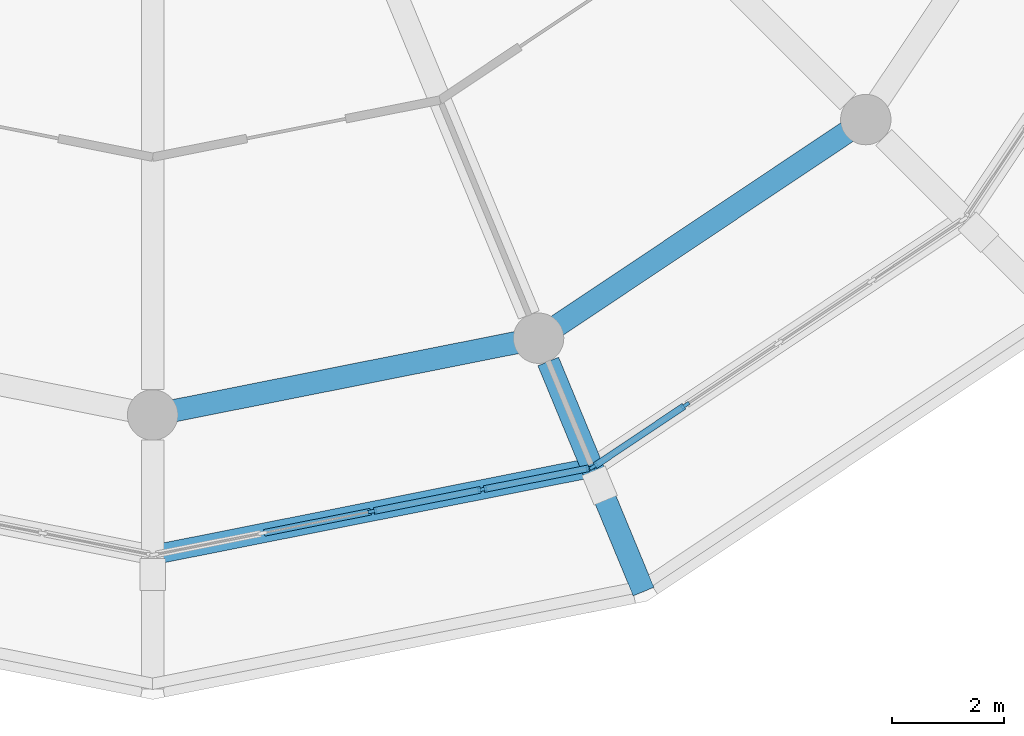
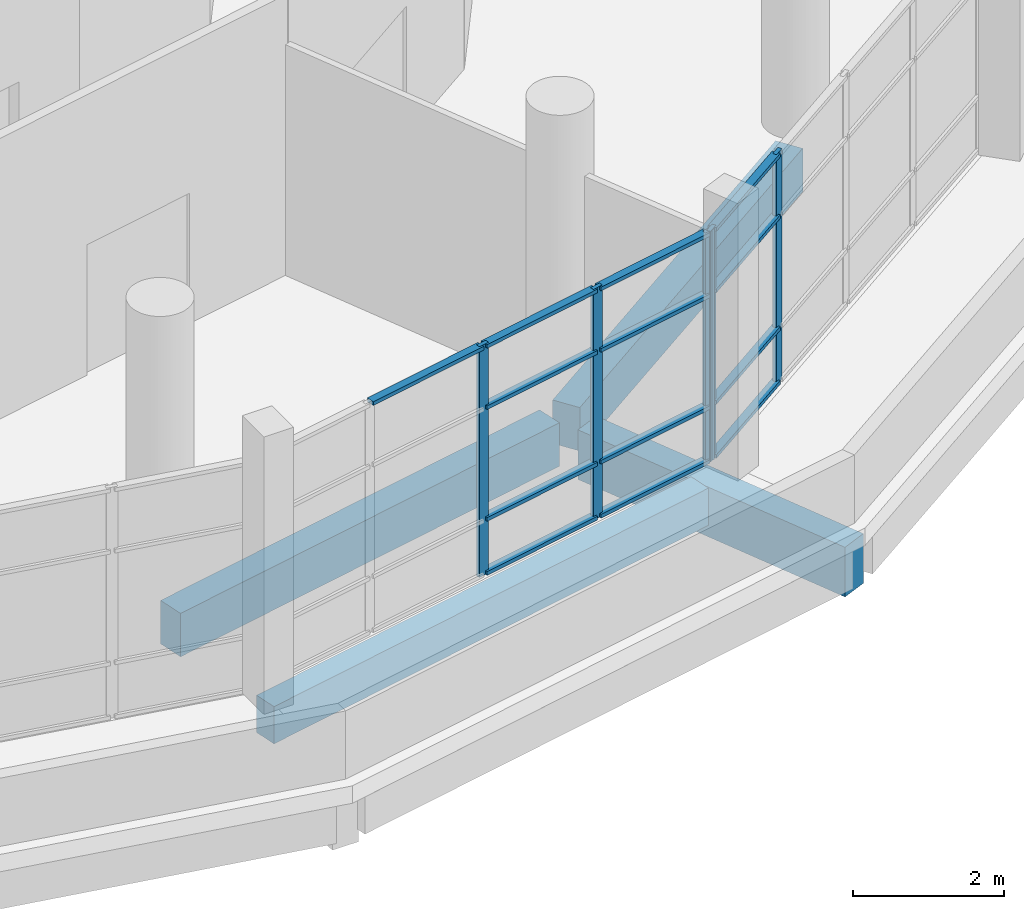
# One storey, part 4 of 21: 18 members, 4 beams, 2 elements without a shape of their own.
"""IFC4 building model written with IfcOpenShell, lengths in metres."""

from ifc_helpers import new_model, si_unit, direction, frame, origin, origin_2d, place, context, subcontext, project, spatial, rectangle, extrude, material, material_profile, profile_set, type_object, element, aggregate, save


model = new_model("IFC4")

# Units and contexts
model_context = context("Model", 3, precision=1e-05, world=origin(), true_north=direction((0.0, 1.0)))
body_context = subcontext(model_context, "Body", "Model", "MODEL_VIEW")
ifc_project = project(units=[si_unit("LENGTHUNIT", "METRE"), si_unit("AREAUNIT", "SQUARE_METRE"), si_unit("VOLUMEUNIT", "CUBIC_METRE"), si_unit("PLANEANGLEUNIT", "RADIAN"), si_unit("MASSUNIT", "GRAM", prefix="KILO")], contexts=[model_context])

# Site, building, storey
site_placement = place(None, origin())
site = spatial("IfcSite", under=ifc_project, at=site_placement, CompositionType="ELEMENT")
building_placement = place(site_placement, origin())
building = spatial("IfcBuilding", under=site, at=building_placement, Name="Ceibo Conservatory and Research Tower", CompositionType="ELEMENT")
storey_placement = place(building_placement, frame((0.0, 0.0, 15.60009765625)))
storey = spatial("IfcBuildingStorey", under=building, at=storey_placement, Name="L03", CompositionType="ELEMENT", Elevation=15.60009765625)

# Curtain wall, members
ifc_material_1 = material(Name="Aluminium and glass", Category="aluminium")
curtain_wall_type = type_object("IfcCurtainWallType", Name="Curtain wall CW1", PredefinedType="NOTDEFINED", material=ifc_material_1)
curtain_wall_1_placement = place(storey_placement, origin())
curtain_wall_1 = element("IfcCurtainWall", 1, at=curtain_wall_1_placement, inside=storey, type_object=curtain_wall_type, Name="CW-03.13", PredefinedType="NOTDEFINED")
ifc_material_2 = material(Name="Aluminium", Category="aluminium")
ifc_material_profile_1 = material_profile(ifc_material_2, rectangle(XDim=0.06005859375, YDim=0.159912109375, at=origin_2d()), Name="Aluminium 60 x 160")
ifc_profile_set_1 = profile_set([ifc_material_profile_1], Name="Aluminium")
member_type_1 = type_object("IfcMemberType", Name="Aluminium mullion 60 x 160", PredefinedType="MULLION", material=ifc_profile_set_1)
member_1_placement = place(storey_placement, frame((51.922607421875, 100.2802734375, 0.0), z_axis=(0.0, 0.0, 1.0), x_axis=(-0.195090380799, 0.980785268711, 0.0)))
member_1 = element("IfcMember", 2, at=member_1_placement, type_object=member_type_1, Name="CW-03.13 mullion 3", PredefinedType="MULLION", context=body_context, shape_type="SweptSolid", body=[
    extrude(rectangle(XDim=0.06005859375, YDim=0.159912109375, at=origin_2d()), origin(), (0.0, 0.0, 1.0), 3.719970703125),
])
member_2_placement = place(storey_placement, frame((53.8837890625, 100.67041015625, 0.0), z_axis=(0.0, 0.0, 1.0), x_axis=(-0.195090380799, 0.980785268711, 0.0)))
member_2 = element("IfcMember", 3, at=member_2_placement, type_object=member_type_1, Name="CW-03.13 mullion 4", PredefinedType="MULLION", context=body_context, shape_type="SweptSolid", body=[
    extrude(rectangle(XDim=0.06005859375, YDim=0.159912109375, at=origin_2d()), origin(), (0.0, 0.0, 1.0), 3.719970703125),
])
member_3_placement = place(storey_placement, frame((55.815673828125, 101.0546875, 0.0), z_axis=(0.0, 0.0, 1.0), x_axis=(-0.195090380799, 0.980785268711, 0.0)))
member_3 = element("IfcMember", 4, at=member_3_placement, type_object=member_type_1, Name="CW-03.13 mullion 5", PredefinedType="MULLION", context=body_context, shape_type="SweptSolid", body=[
    extrude(rectangle(XDim=0.06005859375, YDim=0.159912109375, at=origin_2d()), origin(), (0.0, 0.0, 1.0), 3.719970703125),
])

curtain_wall_2_placement = place(storey_placement, origin())
curtain_wall_2 = element("IfcCurtainWall", 5, at=curtain_wall_2_placement, inside=storey, type_object=curtain_wall_type, Name="CW-03.14", PredefinedType="NOTDEFINED")
member_4_placement = place(storey_placement, frame((55.869873046875, 101.0771484375, 0.0), z_axis=(0.0, 0.0, 1.0), x_axis=(-0.555570178092, 0.831469649004, 0.0)))
member_4 = element("IfcMember", 6, at=member_4_placement, type_object=member_type_1, Name="CW-03.14 mullion 1", PredefinedType="MULLION", context=body_context, shape_type="SweptSolid", body=[
    extrude(rectangle(XDim=0.06005859375, YDim=0.159912109375, at=origin_2d()), origin(), (0.0, 0.0, 1.0), 3.719970703125),
])
member_5_placement = place(storey_placement, frame((57.507568359375, 102.17138671875, 0.0), z_axis=(0.0, 0.0, 1.0), x_axis=(-0.555570178092, 0.831469649004, 0.0)))
member_5 = element("IfcMember", 7, at=member_5_placement, type_object=member_type_1, Name="CW-03.14 mullion 2", PredefinedType="MULLION", context=body_context, shape_type="SweptSolid", body=[
    extrude(rectangle(XDim=0.06005859375, YDim=0.159912109375, at=origin_2d()), origin(), (0.0, 0.0, 1.0), 3.719970703125),
])

# Member
ifc_material_profile_2 = material_profile(ifc_material_2, rectangle(XDim=0.1201171875, YDim=0.06005859375, at=origin_2d()), Name="Aluminium 60 x 120")
ifc_profile_set_2 = profile_set([ifc_material_profile_2], Name="Aluminium")
member_type_2 = type_object("IfcMemberType", Name="Aluminium transom 60 x 120", PredefinedType="USERDEFINED", material=ifc_profile_set_2)
member_6_placement = place(storey_placement, frame((49.99072265625, 99.89599609375, 3.68994140625), z_axis=(0.980783478053, 0.195099382826, 0.0), x_axis=(-0.195099382826, 0.980783478053, 0.0)))
member_6 = element("IfcMember", 8, at=member_6_placement, type_object=member_type_2, Name="CW-03.13 transom 2.4", ObjectType="TRANSOM", PredefinedType="USERDEFINED", context=body_context, shape_type="SweptSolid", body=[
    extrude(rectangle(XDim=0.1201171875, YDim=0.06005859375, at=origin_2d()), origin(), (0.0, 0.0, 1.0), 1.939697265625),
])

member_7_placement = place(storey_placement, frame((51.951904296875, 100.2861328125, 0.02978515625), z_axis=(0.980783478053, 0.195099382826, 0.0), x_axis=(-0.195099382826, 0.980783478053, 0.0)))
member_7 = element("IfcMember", 9, at=member_7_placement, type_object=member_type_2, Name="CW-03.13 transom 3.1", ObjectType="TRANSOM", PredefinedType="USERDEFINED", context=body_context, shape_type="SweptSolid", body=[
    extrude(rectangle(XDim=0.1201171875, YDim=0.06005859375, at=origin_2d()), origin(), (0.0, 0.0, 1.0), 1.939697265625),
])

member_8_placement = place(storey_placement, frame((51.951904296875, 100.2861328125, 0.89990234375), z_axis=(0.980783478053, 0.195099382826, 0.0), x_axis=(-0.195099382826, 0.980783478053, 0.0)))
member_8 = element("IfcMember", 10, at=member_8_placement, type_object=member_type_2, Name="CW-03.13 transom 3.2", ObjectType="TRANSOM", PredefinedType="USERDEFINED", context=body_context, shape_type="SweptSolid", body=[
    extrude(rectangle(XDim=0.1201171875, YDim=0.06005859375, at=origin_2d()), origin(), (0.0, 0.0, 1.0), 1.939697265625),
])

member_9_placement = place(storey_placement, frame((51.951904296875, 100.2861328125, 2.699951171875), z_axis=(0.980783478053, 0.195099382826, 0.0), x_axis=(-0.195099382826, 0.980783478053, 0.0)))
member_9 = element("IfcMember", 11, at=member_9_placement, type_object=member_type_2, Name="CW-03.13 transom 3.3", ObjectType="TRANSOM", PredefinedType="USERDEFINED", context=body_context, shape_type="SweptSolid", body=[
    extrude(rectangle(XDim=0.1201171875, YDim=0.06005859375, at=origin_2d()), origin(), (0.0, 0.0, 1.0), 1.939697265625),
])

member_10_placement = place(storey_placement, frame((51.951904296875, 100.2861328125, 3.68994140625), z_axis=(0.980783478053, 0.195099382826, 0.0), x_axis=(-0.195099382826, 0.980783478053, 0.0)))
member_10 = element("IfcMember", 12, at=member_10_placement, type_object=member_type_2, Name="CW-03.13 transom 3.4", ObjectType="TRANSOM", PredefinedType="USERDEFINED", context=body_context, shape_type="SweptSolid", body=[
    extrude(rectangle(XDim=0.1201171875, YDim=0.06005859375, at=origin_2d()), origin(), (0.0, 0.0, 1.0), 1.939697265625),
])

member_11_placement = place(storey_placement, frame((53.9130859375, 100.67626953125, 0.02978515625), z_axis=(0.980786642434, 0.195083474499, 0.0), x_axis=(-0.195083474499, 0.980786642434, 0.0)))
member_11 = element("IfcMember", 13, at=member_11_placement, type_object=member_type_2, Name="CW-03.13 transom 4.1", ObjectType="TRANSOM", PredefinedType="USERDEFINED", context=body_context, shape_type="SweptSolid", body=[
    extrude(rectangle(XDim=0.1201171875, YDim=0.06005859375, at=origin_2d()), origin(), (0.0, 0.0, 1.0), 1.90966796875),
])

member_12_placement = place(storey_placement, frame((53.9130859375, 100.67626953125, 0.89990234375), z_axis=(0.980786642434, 0.195083474499, 0.0), x_axis=(-0.195083474499, 0.980786642434, 0.0)))
member_12 = element("IfcMember", 14, at=member_12_placement, type_object=member_type_2, Name="CW-03.13 transom 4.2", ObjectType="TRANSOM", PredefinedType="USERDEFINED", context=body_context, shape_type="SweptSolid", body=[
    extrude(rectangle(XDim=0.1201171875, YDim=0.06005859375, at=origin_2d()), origin(), (0.0, 0.0, 1.0), 1.90966796875),
])

member_13_placement = place(storey_placement, frame((53.9130859375, 100.67626953125, 2.699951171875), z_axis=(0.980786642434, 0.195083474499, 0.0), x_axis=(-0.195083474499, 0.980786642434, 0.0)))
member_13 = element("IfcMember", 15, at=member_13_placement, type_object=member_type_2, Name="CW-03.13 transom 4.3", ObjectType="TRANSOM", PredefinedType="USERDEFINED", context=body_context, shape_type="SweptSolid", body=[
    extrude(rectangle(XDim=0.1201171875, YDim=0.06005859375, at=origin_2d()), origin(), (0.0, 0.0, 1.0), 1.90966796875),
])

member_14_placement = place(storey_placement, frame((53.9130859375, 100.67626953125, 3.68994140625), z_axis=(0.980786642434, 0.195083474499, 0.0), x_axis=(-0.195083474499, 0.980786642434, 0.0)))
member_14 = element("IfcMember", 16, at=member_14_placement, type_object=member_type_2, Name="CW-03.13 transom 4.4", ObjectType="TRANSOM", PredefinedType="USERDEFINED", context=body_context, shape_type="SweptSolid", body=[
    extrude(rectangle(XDim=0.1201171875, YDim=0.06005859375, at=origin_2d()), origin(), (0.0, 0.0, 1.0), 1.90966796875),
])

aggregate(curtain_wall_1, [member_1, member_2, member_3, member_6, member_7, member_8, member_9, member_10, member_11, member_12, member_13, member_14])

member_15_placement = place(storey_placement, frame((55.89501953125, 101.09375, 0.02978515625), z_axis=(0.831420334371, 0.555643975577, 0.0), x_axis=(-0.555643975577, 0.831420334371, 0.0)))
member_15 = element("IfcMember", 17, at=member_15_placement, type_object=member_type_2, Name="CW-03.14 transom 1.1", ObjectType="TRANSOM", PredefinedType="USERDEFINED", context=body_context, shape_type="SweptSolid", body=[
    extrude(rectangle(XDim=0.1201171875, YDim=0.06005859375, at=origin_2d()), origin(), (0.0, 0.0, 1.0), 1.90966796875),
])

member_16_placement = place(storey_placement, frame((55.89501953125, 101.09375, 0.89990234375), z_axis=(0.831420334371, 0.555643975577, 0.0), x_axis=(-0.555643975577, 0.831420334371, 0.0)))
member_16 = element("IfcMember", 18, at=member_16_placement, type_object=member_type_2, Name="CW-03.14 transom 1.2", ObjectType="TRANSOM", PredefinedType="USERDEFINED", context=body_context, shape_type="SweptSolid", body=[
    extrude(rectangle(XDim=0.1201171875, YDim=0.06005859375, at=origin_2d()), origin(), (0.0, 0.0, 1.0), 1.90966796875),
])

member_17_placement = place(storey_placement, frame((55.89501953125, 101.09375, 2.699951171875), z_axis=(0.831420334371, 0.555643975577, 0.0), x_axis=(-0.555643975577, 0.831420334371, 0.0)))
member_17 = element("IfcMember", 19, at=member_17_placement, type_object=member_type_2, Name="CW-03.14 transom 1.3", ObjectType="TRANSOM", PredefinedType="USERDEFINED", context=body_context, shape_type="SweptSolid", body=[
    extrude(rectangle(XDim=0.1201171875, YDim=0.06005859375, at=origin_2d()), origin(), (0.0, 0.0, 1.0), 1.90966796875),
])

member_18_placement = place(storey_placement, frame((55.89501953125, 101.09375, 3.68994140625), z_axis=(0.831420334371, 0.555643975577, 0.0), x_axis=(-0.555643975577, 0.831420334371, 0.0)))
member_18 = element("IfcMember", 20, at=member_18_placement, type_object=member_type_2, Name="CW-03.14 transom 1.4", ObjectType="TRANSOM", PredefinedType="USERDEFINED", context=body_context, shape_type="SweptSolid", body=[
    extrude(rectangle(XDim=0.1201171875, YDim=0.06005859375, at=origin_2d()), origin(), (0.0, 0.0, 1.0), 1.90966796875),
])

aggregate(curtain_wall_2, [member_4, member_5, member_15, member_16, member_17, member_18])

# Beams
ifc_material_3 = material(Name="Concrete C35/45", Category="concrete")
ifc_material_profile_3 = material_profile(ifc_material_3, rectangle(XDim=0.35009765625, YDim=0.60009765625, at=origin_2d()), Name="RC 350x600")
ifc_profile_set_3 = profile_set([ifc_material_profile_3], Name="Concrete C35/45")
beam_type_1 = type_object("IfcBeamType", Name="RC beam 350x600 C35", PredefinedType="BEAM", material=ifc_profile_set_3)
beam_1_placement = place(storey_placement, frame((48.180419921875, 99.535888671875, -0.580078125), z_axis=(0.980783190489, 0.195100828433, 0.0), x_axis=(-0.195100828433, 0.980783190489, 0.0)))
element("IfcBeam", 21, at=beam_1_placement, inside=storey, type_object=beam_type_1, Name="Edge beam 13 L03", PredefinedType="BEAM", context=body_context, shape_type="SweptSolid", body=[
    extrude(rectangle(XDim=0.35009765625, YDim=0.60009765625, at=origin_2d()), origin(), (0.0, 0.0, 1.0), 7.630859375),
])
ifc_material_profile_4 = material_profile(ifc_material_3, rectangle(XDim=0.39990234375, YDim=0.699951171875, at=origin_2d()), Name="RC 400x700")
ifc_profile_set_4 = profile_set([ifc_material_profile_4], Name="Concrete C35/45")
beam_type_2 = type_object("IfcBeamType", Name="RC beam 400x700 C35", PredefinedType="BEAM", material=ifc_profile_set_4)
beam_2_placement = place(storey_placement, frame((48.180419921875, 102.035888671875, -0.630126953125), z_axis=(0.980787526167, 0.19507903146, 0.0), x_axis=(-0.19507903146, 0.980787526167, 0.0)))
element("IfcBeam", 22, at=beam_2_placement, inside=storey, type_object=beam_type_2, Name="Ring beam 13 L03", PredefinedType="BEAM", context=body_context, shape_type="SweptSolid", body=[
    extrude(rectangle(XDim=0.39990234375, YDim=0.699951171875, at=origin_2d()), origin(), (0.0, 0.0, 1.0), 6.655517578125),
])
beam_3_placement = place(storey_placement, frame((55.041259765625, 103.472412109375, -0.630126953125), z_axis=(0.83146854485, 0.555571830572, 0.0), x_axis=(-0.555571830572, 0.83146854485, 0.0)))
element("IfcBeam", 23, at=beam_3_placement, inside=storey, type_object=beam_type_2, Name="Ring beam 14 L03", PredefinedType="BEAM", context=body_context, shape_type="SweptSolid", body=[
    extrude(rectangle(XDim=0.39990234375, YDim=0.699951171875, at=origin_2d()), origin(), (0.0, 0.0, 1.0), 6.6552734375),
])
ifc_material_profile_5 = material_profile(ifc_material_3, rectangle(XDim=0.39990234375, YDim=0.800048828125, at=origin_2d()), Name="RC 400x800")
ifc_profile_set_5 = profile_set([ifc_material_profile_5], Name="Concrete C35/45")
beam_type_3 = type_object("IfcBeamType", Name="RC cantilever beam 400x800 C35", PredefinedType="BEAM", material=ifc_profile_set_5)
beam_4_placement = place(storey_placement, frame((55.060546875, 102.954345703125, -0.68017578125), z_axis=(0.382660632392, -0.92388897624, 0.0), x_axis=(0.92388897624, 0.382660632392, 0.0)))
element("IfcBeam", 24, at=beam_4_placement, inside=storey, type_object=beam_type_3, Name="Radial cantilever beam R14 L03", PredefinedType="BEAM", context=body_context, shape_type="SweptSolid", body=[
    extrude(rectangle(XDim=0.39990234375, YDim=0.800048828125, at=origin_2d()), origin(), (0.0, 0.0, 1.0), 4.445068359375),
])

save(model, "model.ifc")
